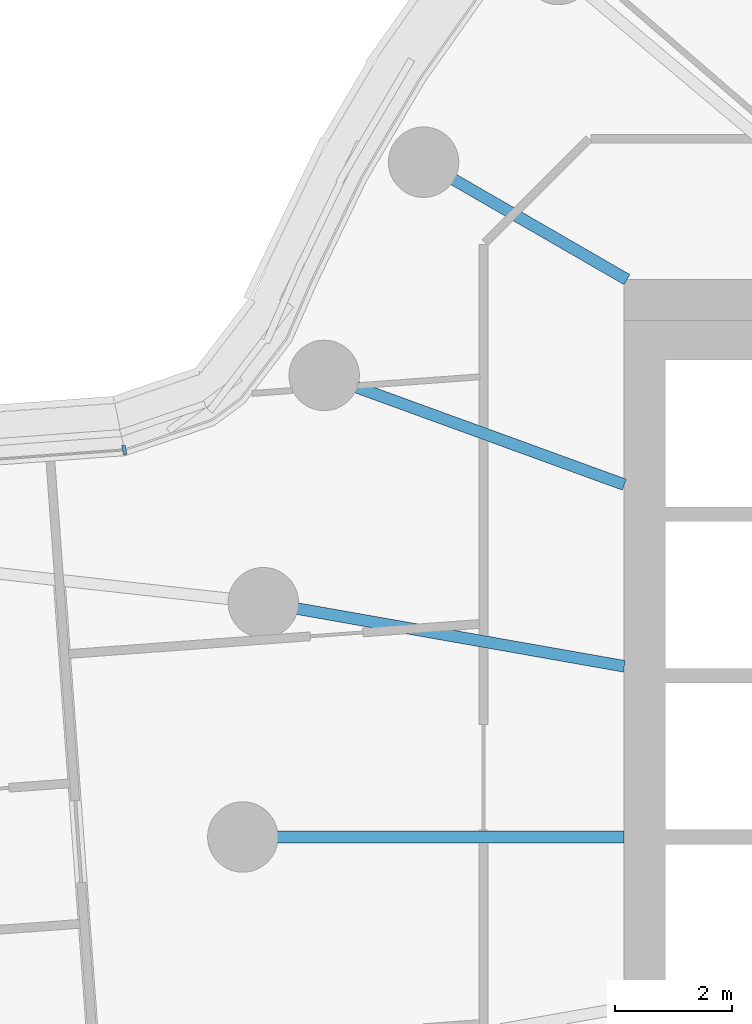
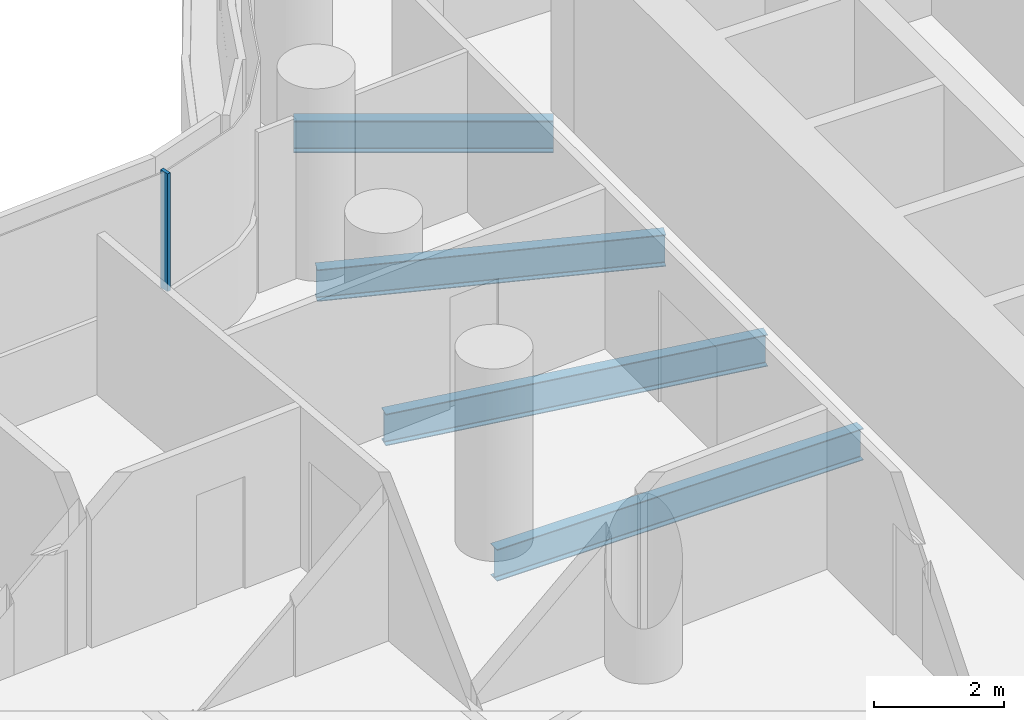
# One storey, part 7 of 31: 4 beams, 1 member, 1 element without a shape of its own.
"""IFC4 building model written with IfcOpenShell, lengths in metres."""

from ifc_helpers import new_model, si_unit, direction, frame, origin, origin_2d, place, context, subcontext, project, spatial, rectangle, i_section, extrude, material, layer, layer_set, material_profile, profile_set, type_object, element, aggregate, save


model = new_model("IFC4")

# Units and contexts
model_context = context("Model", 3, precision=1e-05, world=origin(), true_north=direction((0.0, 1.0)))
body_context = subcontext(model_context, "Body", "Model", "MODEL_VIEW")
ifc_project = project(units=[si_unit("LENGTHUNIT", "METRE"), si_unit("AREAUNIT", "SQUARE_METRE"), si_unit("VOLUMEUNIT", "CUBIC_METRE"), si_unit("PLANEANGLEUNIT", "RADIAN"), si_unit("MASSUNIT", "GRAM", prefix="KILO")], contexts=[model_context])

# Site, building, storey
site_placement = place(None, origin())
site = spatial("IfcSite", under=ifc_project, at=site_placement, CompositionType="ELEMENT")
building_placement = place(site_placement, origin())
building = spatial("IfcBuilding", under=site, at=building_placement, Name="Tamarind Cross Interchange Tower", CompositionType="ELEMENT")
storey_placement = place(building_placement, frame((0.0, 0.0, 49.0)))
storey = spatial("IfcBuildingStorey", under=building, at=storey_placement, Name="L10", CompositionType="ELEMENT", Elevation=49.0)

# Beams
ifc_material_1 = material(Name="Steel Q355B", Category="steel")
ifc_material_profile_1 = material_profile(ifc_material_1, i_section(OverallWidth=0.198974609375, OverallDepth=0.595947265625, WebThickness=0.010009765625, FlangeThickness=0.014892578125, FilletRadius=0.012939453125, at=origin_2d()), Name="HN 596x199x10x15")
ifc_profile_set_1 = profile_set([ifc_material_profile_1], Name="Steel Q355B")
beam_type = type_object("IfcBeamType", Name="Composite beam HN 596x199x10x15 Q355B", PredefinedType="BEAM", material=ifc_profile_set_1)
beam_1_placement = place(storey_placement, frame((-19.918701171875, 11.5, -0.43798828125), z_axis=(0.866026010844, -0.49999894854, 0.0), x_axis=(0.49999894854, 0.866026010844, 0.0)))
element("IfcBeam", 1, at=beam_1_placement, inside=storey, type_object=beam_type, Name="Beam HH15", PredefinedType="BEAM", context=body_context, shape_type="SweptSolid", body=[
    extrude(i_section(OverallWidth=0.198974609375, OverallDepth=0.595947265625, WebThickness=0.010009765625, FlangeThickness=0.014892578125, FilletRadius=0.012939453125, at=origin_2d()), origin(), (0.0, 0.0, 1.0), 4.0),
])
beam_2_placement = place(storey_placement, frame((-21.613037109375, 7.866455078125, -0.43798828125), z_axis=(0.939701685589, -0.341995236956, 0.0), x_axis=(0.341995236956, 0.939701685589, 0.0)))
element("IfcBeam", 2, at=beam_2_placement, inside=storey, type_object=beam_type, Name="Beam HH16", PredefinedType="BEAM", context=body_context, shape_type="SweptSolid", body=[
    extrude(i_section(OverallWidth=0.198974609375, OverallDepth=0.595947265625, WebThickness=0.010009765625, FlangeThickness=0.014892578125, FilletRadius=0.012939453125, at=origin_2d()), origin(), (0.0, 0.0, 1.0), 5.441162109375),
])
beam_3_placement = place(storey_placement, frame((-22.650634765625, 3.993896484375, -0.43798828125), z_axis=(0.984809127561, -0.173640382036, 0.0), x_axis=(0.173640382036, 0.984809127561, 0.0)))
element("IfcBeam", 3, at=beam_3_placement, inside=storey, type_object=beam_type, Name="Beam HH17", PredefinedType="BEAM", context=body_context, shape_type="SweptSolid", body=[
    extrude(i_section(OverallWidth=0.198974609375, OverallDepth=0.595947265625, WebThickness=0.010009765625, FlangeThickness=0.014892578125, FilletRadius=0.012939453125, at=origin_2d()), origin(), (0.0, 0.0, 1.0), 6.24560546875),
])
beam_4_placement = place(storey_placement, frame((-23.0, 0.0, -0.43798828125), z_axis=(1.0, 0.0, 0.0), x_axis=(0.0, 1.0, 0.0)))
element("IfcBeam", 4, at=beam_4_placement, inside=storey, type_object=beam_type, Name="Beam HH18", PredefinedType="BEAM", context=body_context, shape_type="SweptSolid", body=[
    extrude(i_section(OverallWidth=0.198974609375, OverallDepth=0.595947265625, WebThickness=0.010009765625, FlangeThickness=0.014892578125, FilletRadius=0.012939453125, at=origin_2d()), origin(), (0.0, 0.0, 1.0), 6.5),
])

# Curtain wall, member
ifc_material_2 = material(Name="Aluminium 6063-T6", Category="aluminium")
ifc_layer = layer(ifc_material_2, 0.159912109375)
ifc_layer_set = layer_set([ifc_layer], Name="Aluminium 6063-T6")
curtain_wall_type = type_object("IfcCurtainWallType", Name="Office curtain wall, 9.0 m bays", PredefinedType="NOTDEFINED", material=ifc_layer_set)
curtain_wall_placement = place(storey_placement, origin())
curtain_wall = element("IfcCurtainWall", 5, at=curtain_wall_placement, inside=storey, type_object=curtain_wall_type, Name="CWS-L10-03", PredefinedType="NOTDEFINED")
ifc_material_profile_2 = material_profile(ifc_material_2, rectangle(XDim=0.06005859375, YDim=0.159912109375, at=origin_2d()), Name="Mullion CW1")
ifc_profile_set_2 = profile_set([ifc_material_profile_2], Name="Aluminium 6063-T6")
member_type = type_object("IfcMemberType", Name="Mullion CW1", PredefinedType="MULLION", material=ifc_profile_set_2)
member_placement = place(storey_placement, frame((-25.01953125, 6.597412109375, 1.39990234375), z_axis=(0.0, 0.0, 1.0), x_axis=(-0.97991114269, -0.199434581834, 0.0)))
member = element("IfcMember", 6, at=member_placement, type_object=member_type, Name="CWM-L10-03-00", PredefinedType="MULLION", context=body_context, shape_type="SweptSolid", body=[
    extrude(rectangle(XDim=0.06005859375, YDim=0.159912109375, at=origin_2d()), origin(), (0.0, 0.0, 1.0), 2.210205078125),
])
aggregate(curtain_wall, [member])

save(model, "model.ifc")
